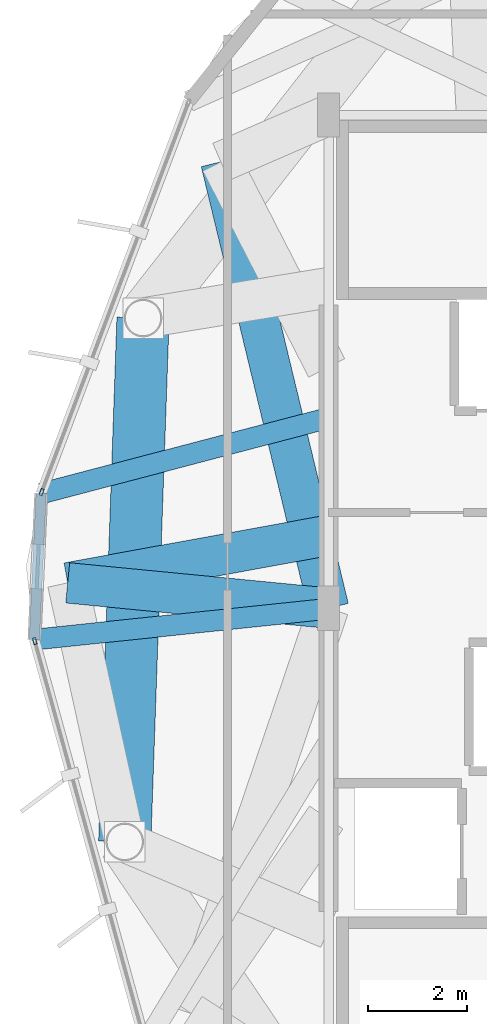
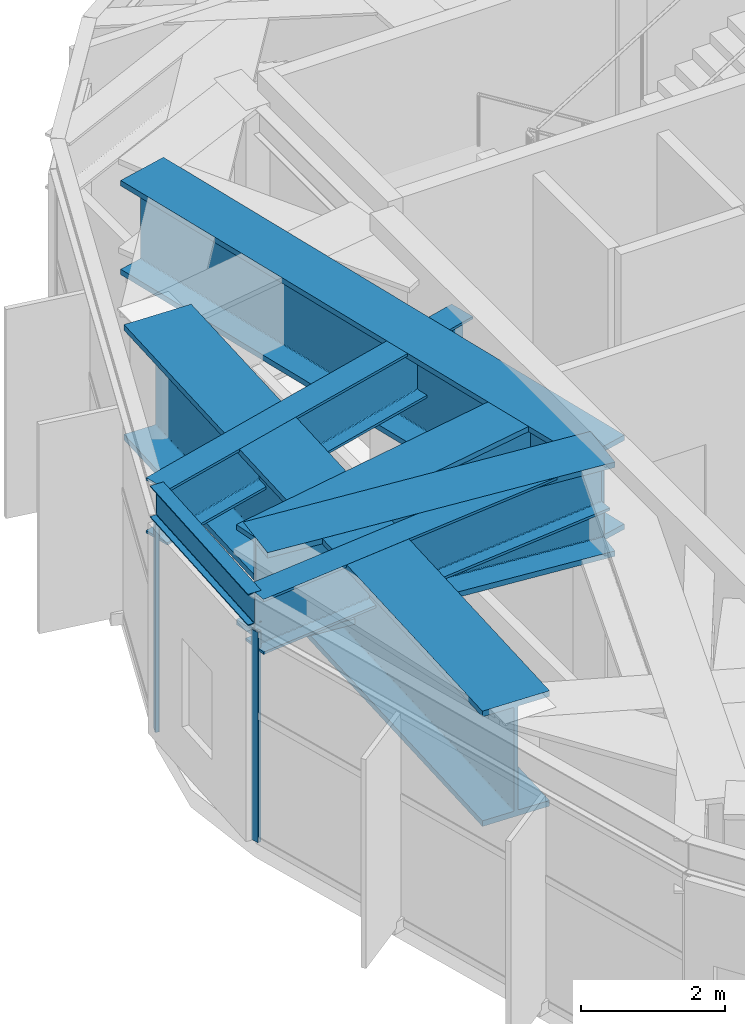
# One storey, part 10 of 27: 7 beams, 2 members, 2 elements without a shape of their own.
"""IFC4 building model written with IfcOpenShell, lengths in metres."""

from ifc_helpers import new_model, si_unit, direction, frame, origin, origin_2d, place, context, subcontext, project, spatial, hollow_rectangle, i_section, extrude, material, layer, layer_set, material_profile, profile_set, type_object, element, aggregate, save


model = new_model("IFC4")

# Units and contexts
model_context = context("Model", 3, precision=1e-05, world=origin(), true_north=direction((0.0, 1.0)))
body_context = subcontext(model_context, "Body", "Model", "MODEL_VIEW")
ifc_project = project(units=[si_unit("LENGTHUNIT", "METRE"), si_unit("AREAUNIT", "SQUARE_METRE"), si_unit("VOLUMEUNIT", "CUBIC_METRE"), si_unit("PLANEANGLEUNIT", "RADIAN"), si_unit("MASSUNIT", "GRAM", prefix="KILO")], contexts=[model_context])

# Site, building, storey
site_placement = place(None, origin())
site = spatial("IfcSite", under=ifc_project, at=site_placement, CompositionType="ELEMENT")
building_placement = place(site_placement, origin())
building = spatial("IfcBuilding", under=site, at=building_placement, Name="Soratama Intermodal Tower", CompositionType="ELEMENT")
storey_placement = place(building_placement, frame((0.0, 0.0, 288.550048828125)))
storey = spatial("IfcBuildingStorey", under=building, at=storey_placement, Name="L73", CompositionType="ELEMENT", Elevation=288.550048828125)

# Beams
ifc_material_1 = material(Name="Structural steel ASTM A992 Grade 50", Category="steel")
ifc_material_profile_1 = material_profile(ifc_material_1, i_section(OverallWidth=0.423095703125, OverallDepth=0.93896484375, WebThickness=0.02392578125, FlangeThickness=0.042724609375, FilletRadius=0.02392578125, at=origin_2d()), Name="W36X302")
ifc_profile_set_1 = profile_set([ifc_material_profile_1], Name="Structural steel ASTM A992 Grade 50")
beam_type_1 = type_object("IfcBeamType", Name="BM-POD-W36X302", PredefinedType="BEAM", material=ifc_profile_set_1)
beam_1_placement = place(storey_placement, frame((32.56103515625, 28.847900390625, 3.725341796875), z_axis=(-0.967115719266, -0.254336756188, 0.0), x_axis=(0.254336756188, -0.967115719266, 0.0)))
element("IfcBeam", 1, at=beam_1_placement, inside=storey, type_object=beam_type_1, Name="BM-L73-TIE1-03", PredefinedType="BEAM", context=body_context, shape_type="SweptSolid", body=[
    extrude(i_section(OverallWidth=0.423095703125, OverallDepth=0.93896484375, WebThickness=0.02392578125, FlangeThickness=0.042724609375, FilletRadius=0.02392578125, at=origin_2d()), origin(), (0.0, 0.0, 1.0), 5.988037109375),
])
beam_2_placement = place(storey_placement, frame((32.56005859375, 24.98388671875, 3.725341796875), z_axis=(-0.994541533887, -0.104341446093, 0.0), x_axis=(0.104341446093, -0.994541533887, 0.0)))
element("IfcBeam", 2, at=beam_2_placement, inside=storey, type_object=beam_type_1, Name="BM-L73-TIE0-04", PredefinedType="BEAM", context=body_context, shape_type="SweptSolid", body=[
    extrude(i_section(OverallWidth=0.423095703125, OverallDepth=0.93896484375, WebThickness=0.02392578125, FlangeThickness=0.042724609375, FilletRadius=0.02392578125, at=origin_2d()), origin(), (0.0, 0.0, 1.0), 5.95947265625),
])
ifc_material_2 = material(Name="Structural steel ASTM A992 Grade 50", Category="steel")
ifc_material_profile_2 = material_profile(ifc_material_2, i_section(OverallWidth=0.2099609375, OverallDepth=0.537109375, WebThickness=0.010986328125, FlangeThickness=0.017333984375, FilletRadius=0.012939453125, at=origin_2d()), Name="W21X68")
ifc_profile_set_2 = profile_set([ifc_material_profile_2], Name="Structural steel ASTM A992 Grade 50")
beam_type_2 = type_object("IfcBeamType", Name="BM-SPN-W21X68", PredefinedType="SPANDREL", material=ifc_profile_set_2)
beam_3_placement = place(storey_placement, frame((26.77001953125, 27.324951171875, 3.926513671875), z_axis=(-0.046176793977, -0.998933282906, 0.0), x_axis=(0.998933282906, -0.046176793977, 0.0)))
element("IfcBeam", 3, at=beam_3_placement, inside=storey, type_object=beam_type_2, Name="BS-L73-CRN03", PredefinedType="SPANDREL", context=body_context, shape_type="SweptSolid", body=[
    extrude(i_section(OverallWidth=0.2099609375, OverallDepth=0.537109375, WebThickness=0.010986328125, FlangeThickness=0.017333984375, FilletRadius=0.012939453125, at=origin_2d()), origin(), (0.0, 0.0, 1.0), 2.966064453125),
])
ifc_material_3 = material(Name="Structural steel ASTM A992 Grade 50", Category="steel")
ifc_material_profile_3 = material_profile(ifc_material_3, i_section(OverallWidth=0.820068359375, OverallDepth=1.699951171875, WebThickness=0.053955078125, FlangeThickness=0.087890625, FilletRadius=0.02392578125, at=origin_2d()), Name="PG1580X800")
ifc_profile_set_3 = profile_set([ifc_material_profile_3], Name="Structural steel ASTM A992 Grade 50")
beam_type_3 = type_object("IfcBeamType", Name="BM-ZSTEP-PG1580", PredefinedType="BEAM", material=ifc_profile_set_3)
beam_4_placement = place(storey_placement, frame((32.51611328125, 26.462890625, 3.344970703125), z_axis=(-0.98376272311, -0.179473966411, 0.0), x_axis=(0.179473966411, -0.98376272311, 0.0)))
element("IfcBeam", 4, at=beam_4_placement, inside=storey, type_object=beam_type_3, Name="BM-L73-ZCHORD-05", PredefinedType="BEAM", context=body_context, shape_type="SweptSolid", body=[
    extrude(i_section(OverallWidth=0.820068359375, OverallDepth=1.699951171875, WebThickness=0.053955078125, FlangeThickness=0.087890625, FilletRadius=0.02392578125, at=origin_2d()), origin(), (0.0, 0.0, 1.0), 5.29296875),
])
ifc_material_4 = material(Name="Structural steel ASTM A992 Grade 50", Category="steel")
ifc_material_profile_4 = material_profile(ifc_material_4, i_section(OverallWidth=0.820068359375, OverallDepth=1.60205078125, WebThickness=0.055908203125, FlangeThickness=0.092041015625, FilletRadius=0.02392578125, at=origin_2d()), Name="PG1600X650")
ifc_profile_set_4 = profile_set([ifc_material_profile_4], Name="Structural steel ASTM A992 Grade 50")
beam_type_4 = type_object("IfcBeamType", Name="BM-ZSTEP-PG1600", PredefinedType="BEAM", material=ifc_profile_set_4)
beam_5_placement = place(storey_placement, frame((30.416015625, 34.050048828125, 3.39404296875), z_axis=(0.234598663103, -0.972092314171, 0.0), x_axis=(0.972092314171, 0.234598663103, 0.0)))
element("IfcBeam", 5, at=beam_5_placement, inside=storey, type_object=beam_type_4, Name="BM-L73-ZSTEP-B04", PredefinedType="BEAM", context=body_context, shape_type="SweptSolid", body=[
    extrude(i_section(OverallWidth=0.820068359375, OverallDepth=1.60205078125, WebThickness=0.055908203125, FlangeThickness=0.092041015625, FilletRadius=0.02392578125, at=origin_2d()), origin(), (0.0, 0.0, 1.0), 9.309814453125),
])
beam_6_placement = place(storey_placement, frame((32.60009765625, 25.0, 3.39404296875), z_axis=(-0.995333664321, 0.096492987668, 0.0), x_axis=(-0.096492987668, -0.995333664321, 0.0)))
element("IfcBeam", 6, at=beam_6_placement, inside=storey, type_object=beam_type_4, Name="BM-L73-ZSTEP-A05", PredefinedType="BEAM", context=body_context, shape_type="SweptSolid", body=[
    extrude(i_section(OverallWidth=0.820068359375, OverallDepth=1.60205078125, WebThickness=0.055908203125, FlangeThickness=0.092041015625, FilletRadius=0.02392578125, at=origin_2d()), origin(), (0.0, 0.0, 1.0), 5.31591796875),
])
ifc_material_5 = material(Name="Structural steel ASTM A992 Grade 50", Category="steel")
ifc_material_profile_5 = material_profile(ifc_material_5, i_section(OverallWidth=1.06005859375, OverallDepth=1.9599609375, WebThickness=0.05810546875, FlangeThickness=0.095947265625, FilletRadius=0.02392578125, at=origin_2d()), Name="PG2400X900")
ifc_profile_set_5 = profile_set([ifc_material_profile_5], Name="Structural steel ASTM A992 Grade 50")
beam_type_5 = type_object("IfcBeamType", Name="BM-ZSTEP-PG2400", PredefinedType="BEAM", material=ifc_profile_set_5)
beam_7_placement = place(storey_placement, frame((28.8369140625, 30.883056640625, 3.21484375), z_axis=(-0.034885453879, -0.999391317307, 0.0), x_axis=(0.999391317307, -0.034885453879, 0.0)))
element("IfcBeam", 7, at=beam_7_placement, inside=storey, type_object=beam_type_5, Name="BM-L73-RING-05", PredefinedType="BEAM", context=body_context, shape_type="SweptSolid", body=[
    extrude(i_section(OverallWidth=1.06005859375, OverallDepth=1.9599609375, WebThickness=0.05810546875, FlangeThickness=0.095947265625, FilletRadius=0.02392578125, at=origin_2d()), origin(), (0.0, 0.0, 1.0), 10.630615234375),
])

# Curtain wall, member
ifc_material_6 = material(Name="Double-glazed aluminium curtain wall", Category="aluminium")
ifc_layer = layer(ifc_material_6, 0.159912109375)
ifc_layer_set = layer_set([ifc_layer], Name="Double-glazed aluminium curtain wall")
curtain_wall_type = type_object("IfcCurtainWallType", Name="CW-SYS-6", PredefinedType="NOTDEFINED", material=ifc_layer_set)
curtain_wall_1_placement = place(storey_placement, origin())
curtain_wall_1 = element("IfcCurtainWall", 8, at=curtain_wall_1_placement, inside=storey, type_object=curtain_wall_type, Name="L73 Faceted Curtain Wall F03", PredefinedType="NOTDEFINED")
ifc_material_7 = material(Name="Anodised aluminium AA 6063-T6", Category="aluminium")
ifc_material_profile_6 = material_profile(ifc_material_7, hollow_rectangle(XDim=0.06494140625, YDim=0.139892578125, WallThickness=0.0048828125, InnerFilletRadius=0.0048828125, OuterFilletRadius=0.010009765625, at=origin_2d()), Name="CWM140X65X5")
ifc_profile_set_6 = profile_set([ifc_material_profile_6], Name="Anodised aluminium AA 6063-T6")
member_type = type_object("IfcMemberType", Name="MT-CWM-6", PredefinedType="MULLION", material=ifc_profile_set_6)
member_1_placement = place(storey_placement, frame((26.7802734375, 27.353515625, 0.0), z_axis=(0.0, 0.0, 1.0), x_axis=(0.935812285902, -0.352498745466, 0.0)))
member_1 = element("IfcMember", 9, at=member_1_placement, type_object=member_type, Name="CW-6 mullion 2", PredefinedType="MULLION", context=body_context, shape_type="SweptSolid", body=[
    extrude(hollow_rectangle(XDim=0.06494140625, YDim=0.139892578125, WallThickness=0.0048828125, InnerFilletRadius=0.0048828125, OuterFilletRadius=0.010009765625, at=origin_2d()), origin(), (0.0, 0.0, 1.0), 3.573974609375),
])
aggregate(curtain_wall_1, [member_1])

curtain_wall_2_placement = place(storey_placement, origin())
curtain_wall_2 = element("IfcCurtainWall", 10, at=curtain_wall_2_placement, inside=storey, type_object=curtain_wall_type, Name="L73 Faceted Curtain Wall F04", PredefinedType="NOTDEFINED")
member_2_placement = place(storey_placement, frame((26.64111328125, 24.3330078125, 0.0), z_axis=(0.0, 0.0, 1.0), x_axis=(0.964282204153, 0.264877010617, 0.0)))
member_2 = element("IfcMember", 11, at=member_2_placement, type_object=member_type, Name="CW-6 mullion 1", PredefinedType="MULLION", context=body_context, shape_type="SweptSolid", body=[
    extrude(hollow_rectangle(XDim=0.06494140625, YDim=0.139892578125, WallThickness=0.0048828125, InnerFilletRadius=0.0048828125, OuterFilletRadius=0.010009765625, at=origin_2d()), origin(), (0.0, 0.0, 1.0), 3.573974609375),
])
aggregate(curtain_wall_2, [member_2])

save(model, "model.ifc")
